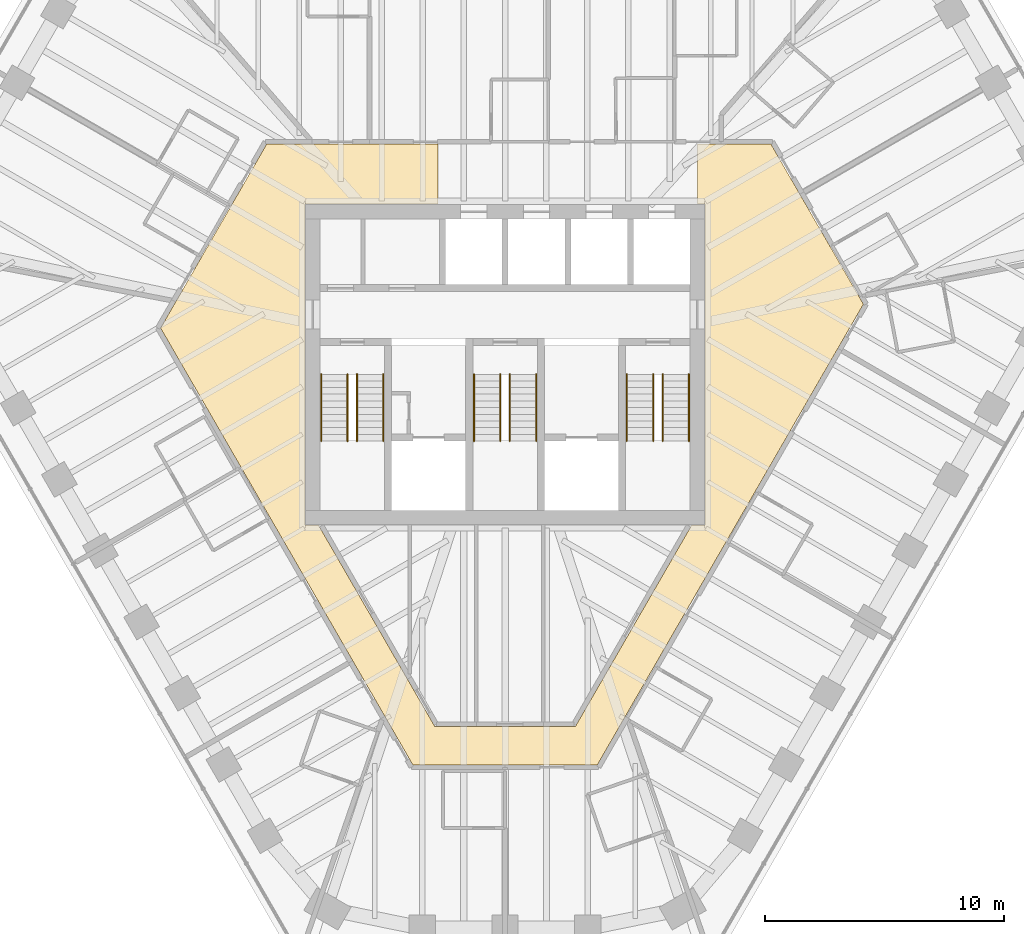
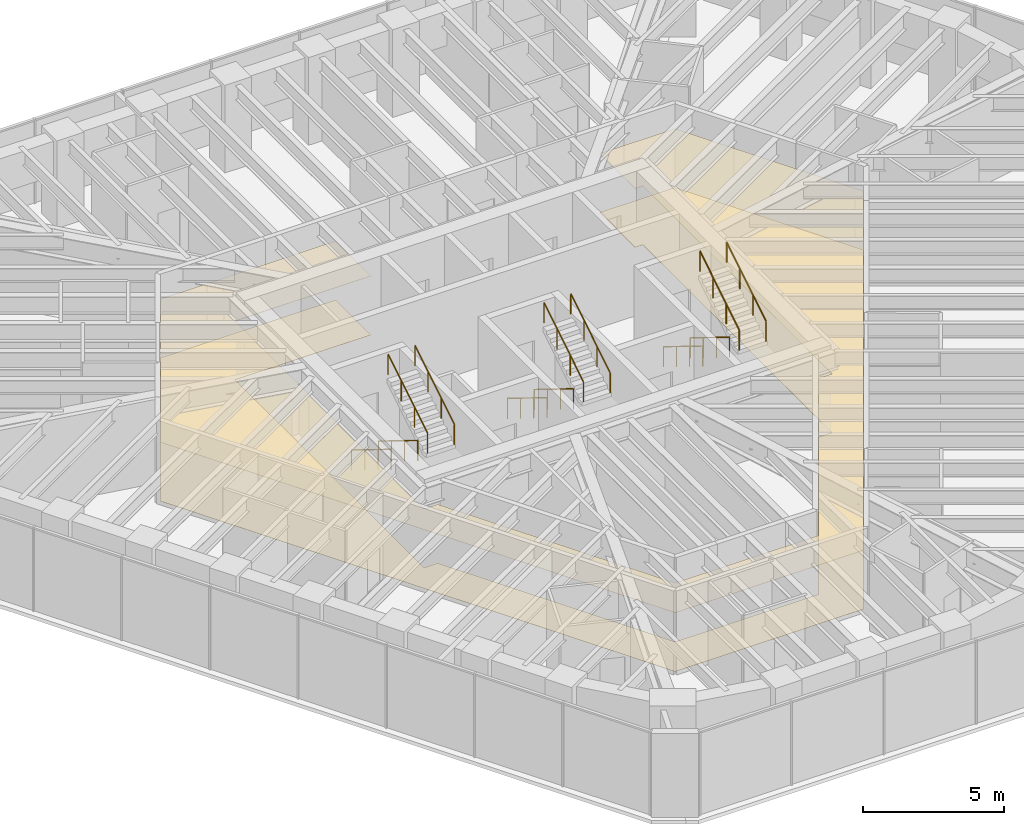
# One storey, part 14 of 14: 12 railings, 2 coverings.
"""IFC4 building model written with IfcOpenShell, lengths in metres."""

from ifc_helpers import new_model, si_unit, direction, frame, origin, origin_2d, place, context, subcontext, project, spatial, polyline, circle, outline, extrude, material, layer, layer_set, type_object, element, save


model = new_model("IFC4")

# Units and contexts
model_context = context("Model", 3, precision=1e-05, world=origin(), true_north=direction((0.0, 1.0)))
body_context = subcontext(model_context, "Body", "Model", "MODEL_VIEW")
ifc_project = project(units=[si_unit("LENGTHUNIT", "METRE"), si_unit("AREAUNIT", "SQUARE_METRE"), si_unit("VOLUMEUNIT", "CUBIC_METRE"), si_unit("PLANEANGLEUNIT", "RADIAN"), si_unit("MASSUNIT", "GRAM", prefix="KILO")], contexts=[model_context])

# Site, building, storey
site_placement = place(None, origin())
site = spatial("IfcSite", under=ifc_project, at=site_placement, CompositionType="ELEMENT")
building_placement = place(site_placement, origin())
building = spatial("IfcBuilding", under=site, at=building_placement, Name="Sandreach Pilgrim Tower", CompositionType="ELEMENT")
storey_placement = place(building_placement, frame((0.0, 0.0, 276.0)))
storey = spatial("IfcBuildingStorey", under=building, at=storey_placement, Name="L69", CompositionType="ELEMENT", Elevation=276.0)

# Coverings
ifc_material_1 = material(Name="Nylon carpet tile on the slab", Category="textile")
ifc_layer_1 = layer(ifc_material_1, 0.008056640625)
ifc_layer_set_1 = layer_set([ifc_layer_1], Name="Carpet tile")
covering_type_1 = type_object("IfcCoveringType", Name="Carpet tile", PredefinedType="FLOORING", material=ifc_layer_set_1)
covering_1_placement = place(storey_placement, origin())
element("IfcCovering", 1, at=covering_1_placement, inside=storey, type_object=covering_type_1, Name="Floor finish 69C Corridor 69", PredefinedType="FLOORING", context=body_context, shape_type="SweptSolid", body=[
    extrude(outline(polyline([(-14.424560546875, 1.530029296875), (-9.982177734375, 9.22998046875), (-2.800048828125, 9.22998046875), (-2.800048828125, 6.719970703125), (-8.3701171875, 6.719970703125), (-8.3701171875, -6.719970703125), (-7.812744140625, -6.719970703125), (-2.937744140625, -15.159912109375), (2.937744140625, -15.159912109375), (7.812744140625, -6.719970703125), (8.3701171875, -6.719970703125), (8.3701171875, 6.719970703125), (8.050048828125, 6.719970703125), (8.050048828125, 9.22998046875), (11.13232421875, 9.22998046875), (15.004150390625, 2.529541015625), (3.8623046875, -16.760009765625), (-3.8623046875, -16.760009765625), (-14.424560546875, 1.530029296875)])), origin(), (0.0, 0.0, 1.0), 0.008056640625),
])
ifc_material_2 = material(Name="Gypsum board suspended ceiling on a steel grid", Category="steel")
ifc_layer_2 = layer(ifc_material_2, 0.012939453125)
ifc_layer_set_2 = layer_set([ifc_layer_2], Name="Gypsum board suspended ceiling")
covering_type_2 = type_object("IfcCoveringType", Name="Gypsum board suspended ceiling", PredefinedType="CEILING", material=ifc_layer_set_2)
covering_2_placement = place(storey_placement, frame((0.0, 0.0, 2.550048828125)))
element("IfcCovering", 2, at=covering_2_placement, inside=storey, type_object=covering_type_2, Name="Ceiling 69C Corridor 69", PredefinedType="CEILING", context=body_context, shape_type="SweptSolid", body=[
    extrude(outline(polyline([(-14.424560546875, 1.530029296875), (-9.982177734375, 9.22998046875), (-2.800048828125, 9.22998046875), (-2.800048828125, 6.719970703125), (-8.3701171875, 6.719970703125), (-8.3701171875, -6.719970703125), (-7.812744140625, -6.719970703125), (-2.937744140625, -15.159912109375), (2.937744140625, -15.159912109375), (7.812744140625, -6.719970703125), (8.3701171875, -6.719970703125), (8.3701171875, 6.719970703125), (8.050048828125, 6.719970703125), (8.050048828125, 9.22998046875), (11.13232421875, 9.22998046875), (15.004150390625, 2.529541015625), (3.8623046875, -16.760009765625), (-3.8623046875, -16.760009765625), (-14.424560546875, 1.530029296875)])), origin(), (0.0, 0.0, 1.0), 0.012939453125),
])

# Railings
ifc_material_3 = material(Name="Stainless steel tube", Category="steel")
railing_type = type_object("IfcRailingType", Name="Stair handrail", PredefinedType="HANDRAIL", material=ifc_material_3)
for number, where, name in (
    (3, (-6.60009765625, -0.39990234375, 0.172607421875), "Handrail ST1 L69 flight 1"),
    (4, (-7.699951171875, -0.39990234375, 0.172607421875), "Handrail ST1 L69 flight 1"),
):
    element("IfcRailing", number, at=place(storey_placement, frame(where)), inside=storey, type_object=railing_type, Name=name, PredefinedType="HANDRAIL", context=body_context, shape_type="SweptSolid", body=[
        extrude(circle(Radius=0.02392578125, at=origin_2d()), frame((0.0, 0.0, 0.8759765625), z_axis=(0.0, -0.851089632645, 0.525020415988), x_axis=(1.0, 0.0, 0.0)), (0.0, 0.0, 1.0), 3.2900390625),
        extrude(circle(Radius=0.02099609375, at=origin_2d()), origin(), (0.0, 0.0, 1.0), 0.851806640625),
        extrude(circle(Radius=0.02099609375, at=origin_2d()), frame((0.0, -0.933349609375, 0.57568359375)), (0.0, 0.0, 1.0), 0.851806640625),
        extrude(circle(Radius=0.02099609375, at=origin_2d()), frame((0.0, -1.86669921875, 1.151611328125)), (0.0, 0.0, 1.0), 0.851806640625),
        extrude(circle(Radius=0.02099609375, at=origin_2d()), frame((0.0, -2.800048828125, 1.727294921875)), (0.0, 0.0, 1.0), 0.851806640625),
    ])
for number, where, name in (
    (5, (-6.199951171875, -3.199951171875, 2.07275390625), "Handrail ST1 L69 flight 2"),
    (6, (-5.10009765625, -3.199951171875, 2.07275390625), "Handrail ST1 L69 flight 2"),
):
    element("IfcRailing", number, at=place(storey_placement, frame(where)), inside=storey, type_object=railing_type, Name=name, PredefinedType="HANDRAIL", context=body_context, shape_type="SweptSolid", body=[
        extrude(circle(Radius=0.02392578125, at=origin_2d()), frame((0.0, 0.0, 0.8759765625), z_axis=(0.0, 0.851089632645, 0.525020415988), x_axis=(-1.0, 0.0, 0.0)), (0.0, 0.0, 1.0), 3.2900390625),
        extrude(circle(Radius=0.02099609375, at=origin_2d()), origin(), (0.0, 0.0, 1.0), 0.851806640625),
        extrude(circle(Radius=0.02099609375, at=origin_2d()), frame((0.0, 0.933349609375, 0.57568359375)), (0.0, 0.0, 1.0), 0.851806640625),
        extrude(circle(Radius=0.02099609375, at=origin_2d()), frame((0.0, 1.86669921875, 1.151611328125)), (0.0, 0.0, 1.0), 0.851806640625),
        extrude(circle(Radius=0.02099609375, at=origin_2d()), frame((0.0, 2.800048828125, 1.727294921875)), (0.0, 0.0, 1.0), 0.851806640625),
    ])
for number, where, name in (
    (7, (-0.199951171875, -0.39990234375, 0.172607421875), "Handrail ST3 L69 flight 1"),
    (8, (-1.300048828125, -0.39990234375, 0.172607421875), "Handrail ST3 L69 flight 1"),
):
    element("IfcRailing", number, at=place(storey_placement, frame(where)), inside=storey, type_object=railing_type, Name=name, PredefinedType="HANDRAIL", context=body_context, shape_type="SweptSolid", body=[
        extrude(circle(Radius=0.02392578125, at=origin_2d()), frame((0.0, 0.0, 0.8759765625), z_axis=(0.0, -0.851089632645, 0.525020415988), x_axis=(1.0, 0.0, 0.0)), (0.0, 0.0, 1.0), 3.2900390625),
        extrude(circle(Radius=0.02099609375, at=origin_2d()), origin(), (0.0, 0.0, 1.0), 0.851806640625),
        extrude(circle(Radius=0.02099609375, at=origin_2d()), frame((0.0, -0.933349609375, 0.57568359375)), (0.0, 0.0, 1.0), 0.851806640625),
        extrude(circle(Radius=0.02099609375, at=origin_2d()), frame((0.0, -1.86669921875, 1.151611328125)), (0.0, 0.0, 1.0), 0.851806640625),
        extrude(circle(Radius=0.02099609375, at=origin_2d()), frame((0.0, -2.800048828125, 1.727294921875)), (0.0, 0.0, 1.0), 0.851806640625),
    ])
for number, where, name in (
    (9, (0.199951171875, -3.199951171875, 2.07275390625), "Handrail ST3 L69 flight 2"),
    (10, (1.300048828125, -3.199951171875, 2.07275390625), "Handrail ST3 L69 flight 2"),
):
    element("IfcRailing", number, at=place(storey_placement, frame(where)), inside=storey, type_object=railing_type, Name=name, PredefinedType="HANDRAIL", context=body_context, shape_type="SweptSolid", body=[
        extrude(circle(Radius=0.02392578125, at=origin_2d()), frame((0.0, 0.0, 0.8759765625), z_axis=(0.0, 0.851089632645, 0.525020415988), x_axis=(-1.0, 0.0, 0.0)), (0.0, 0.0, 1.0), 3.2900390625),
        extrude(circle(Radius=0.02099609375, at=origin_2d()), origin(), (0.0, 0.0, 1.0), 0.851806640625),
        extrude(circle(Radius=0.02099609375, at=origin_2d()), frame((0.0, 0.933349609375, 0.57568359375)), (0.0, 0.0, 1.0), 0.851806640625),
        extrude(circle(Radius=0.02099609375, at=origin_2d()), frame((0.0, 1.86669921875, 1.151611328125)), (0.0, 0.0, 1.0), 0.851806640625),
        extrude(circle(Radius=0.02099609375, at=origin_2d()), frame((0.0, 2.800048828125, 1.727294921875)), (0.0, 0.0, 1.0), 0.851806640625),
    ])
for number, where, name in (
    (11, (6.199951171875, -0.39990234375, 0.172607421875), "Handrail ST2 L69 flight 1"),
    (12, (5.10009765625, -0.39990234375, 0.172607421875), "Handrail ST2 L69 flight 1"),
):
    element("IfcRailing", number, at=place(storey_placement, frame(where)), inside=storey, type_object=railing_type, Name=name, PredefinedType="HANDRAIL", context=body_context, shape_type="SweptSolid", body=[
        extrude(circle(Radius=0.02392578125, at=origin_2d()), frame((0.0, 0.0, 0.8759765625), z_axis=(0.0, -0.851089632645, 0.525020415988), x_axis=(1.0, 0.0, 0.0)), (0.0, 0.0, 1.0), 3.2900390625),
        extrude(circle(Radius=0.02099609375, at=origin_2d()), origin(), (0.0, 0.0, 1.0), 0.851806640625),
        extrude(circle(Radius=0.02099609375, at=origin_2d()), frame((0.0, -0.933349609375, 0.57568359375)), (0.0, 0.0, 1.0), 0.851806640625),
        extrude(circle(Radius=0.02099609375, at=origin_2d()), frame((0.0, -1.86669921875, 1.151611328125)), (0.0, 0.0, 1.0), 0.851806640625),
        extrude(circle(Radius=0.02099609375, at=origin_2d()), frame((0.0, -2.800048828125, 1.727294921875)), (0.0, 0.0, 1.0), 0.851806640625),
    ])
for number, where, name in (
    (13, (6.60009765625, -3.199951171875, 2.07275390625), "Handrail ST2 L69 flight 2"),
    (14, (7.699951171875, -3.199951171875, 2.07275390625), "Handrail ST2 L69 flight 2"),
):
    element("IfcRailing", number, at=place(storey_placement, frame(where)), inside=storey, type_object=railing_type, Name=name, PredefinedType="HANDRAIL", context=body_context, shape_type="SweptSolid", body=[
        extrude(circle(Radius=0.02392578125, at=origin_2d()), frame((0.0, 0.0, 0.8759765625), z_axis=(0.0, 0.851089632645, 0.525020415988), x_axis=(-1.0, 0.0, 0.0)), (0.0, 0.0, 1.0), 3.2900390625),
        extrude(circle(Radius=0.02099609375, at=origin_2d()), origin(), (0.0, 0.0, 1.0), 0.851806640625),
        extrude(circle(Radius=0.02099609375, at=origin_2d()), frame((0.0, 0.933349609375, 0.57568359375)), (0.0, 0.0, 1.0), 0.851806640625),
        extrude(circle(Radius=0.02099609375, at=origin_2d()), frame((0.0, 1.86669921875, 1.151611328125)), (0.0, 0.0, 1.0), 0.851806640625),
        extrude(circle(Radius=0.02099609375, at=origin_2d()), frame((0.0, 2.800048828125, 1.727294921875)), (0.0, 0.0, 1.0), 0.851806640625),
    ])

save(model, "model.ifc")
